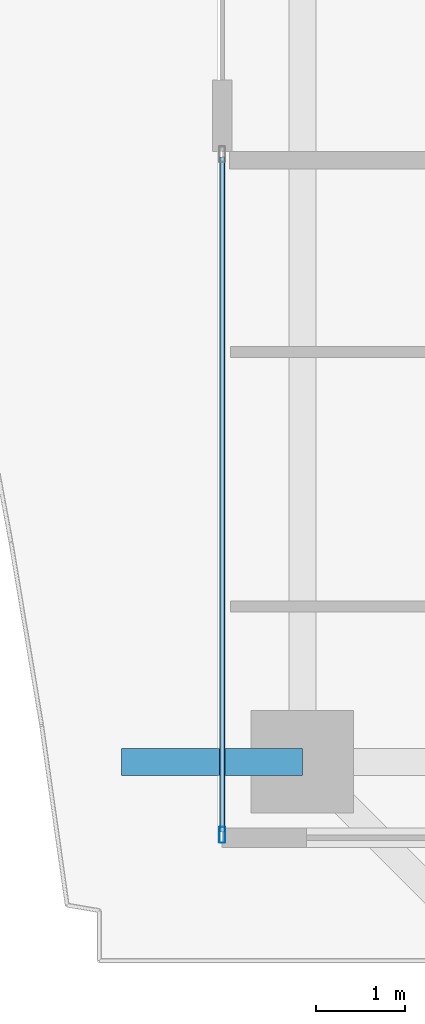
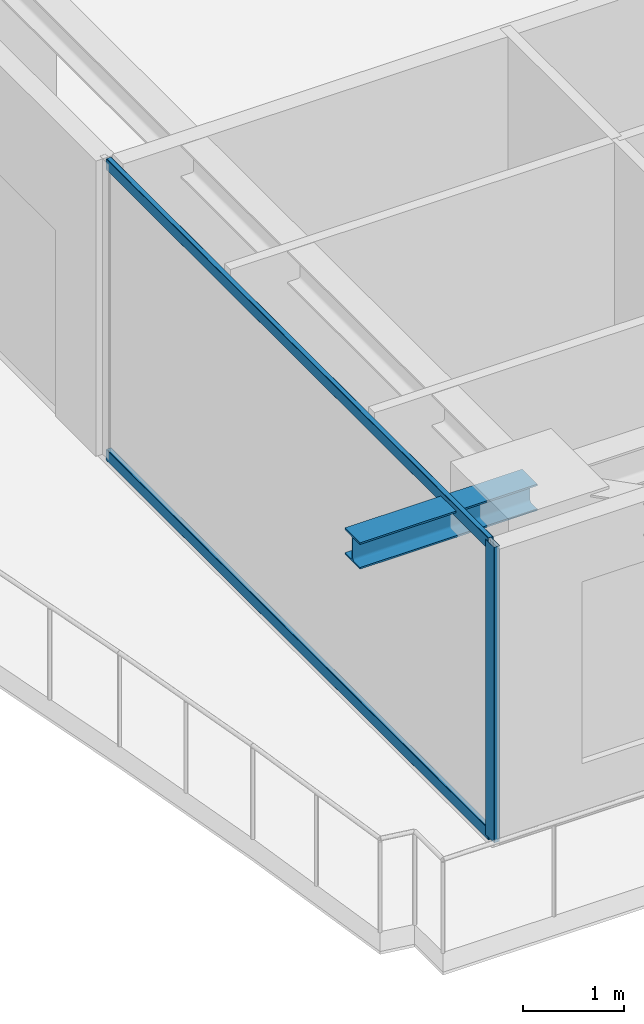
# One storey, part 3 of 38: 3 members, 1 beam, 1 element without a shape of its own.
"""IFC4 building model written with IfcOpenShell, lengths in metres."""

from ifc_helpers import new_model, si_unit, direction, frame, origin, origin_2d, place, context, subcontext, project, spatial, hollow_rectangle, i_section, extrude, source, transform, mapped, material, layer, layer_set, material_profile, profile_set, type_object, element, aggregate, save


model = new_model("IFC4")

# Units and contexts
model_context = context("Model", 3, precision=1e-05, world=origin(), true_north=direction((0.0, 1.0)))
body_context = subcontext(model_context, "Body", "Model", "MODEL_VIEW")
ifc_project = project(units=[si_unit("LENGTHUNIT", "METRE"), si_unit("AREAUNIT", "SQUARE_METRE"), si_unit("VOLUMEUNIT", "CUBIC_METRE"), si_unit("PLANEANGLEUNIT", "RADIAN"), si_unit("MASSUNIT", "GRAM", prefix="KILO")], contexts=[model_context])

# Site, building, storey
site_placement = place(None, origin())
site = spatial("IfcSite", under=ifc_project, at=site_placement, CompositionType="ELEMENT")
building_placement = place(site_placement, origin())
building = spatial("IfcBuilding", under=site, at=building_placement, Name="Serunith Strait Residences", CompositionType="ELEMENT")
storey_placement = place(building_placement, frame((0.0, 0.0, 241.25)))
storey = spatial("IfcBuildingStorey", under=building, at=storey_placement, Name="L60", CompositionType="ELEMENT", Elevation=241.25)

# Beam
ifc_material_1 = material(Name="Steel S355J2", Category="steel")
ifc_material_profile_1 = material_profile(ifc_material_1, i_section(OverallWidth=0.300048828125, OverallDepth=0.320068359375, WebThickness=0.011474609375, FlangeThickness=0.0205078125, FilletRadius=0.027099609375, at=origin_2d()), Name="HEB 320")
ifc_profile_set_1 = profile_set([ifc_material_profile_1], Name="Steel S355J2")
beam_type = type_object("IfcBeamType", Name="BM-HEB320", PredefinedType="BEAM", material=ifc_profile_set_1)
shared_shape_1 = source(origin(), body_context, "Body", "SweptSolid", [
    extrude(i_section(OverallWidth=0.300048828125, OverallDepth=0.320068359375, WebThickness=0.011474609375, FlangeThickness=0.0205078125, FilletRadius=0.027099609375, at=origin_2d()), origin(), (0.0, 0.0, 1.0), 2.030029296875),
])
beam_placement = place(storey_placement, frame((8.300048828125, 10.050048828125, 3.39697265625), z_axis=(-1.0, 0.0, 0.0), x_axis=(0.0, -1.0, 0.0)))
element("IfcBeam", 1, at=beam_placement, inside=storey, type_object=beam_type, Name="L61 Cantilevered Balcony Rib TC-W1", PredefinedType="BEAM", context=body_context, shape_type="MappedRepresentation", body=[
    mapped(shared_shape_1, transform((0.0, 0.0, 0.0), scale=1.0)),
])

# Curtain wall, members
ifc_material_2 = material(Name="Pale-Champagne Anodised Aluminium", Category="aluminium")
ifc_layer = layer(ifc_material_2, 0.199951171875, Name="Pale-Champagne Anodised Aluminium")
ifc_layer_set = layer_set([ifc_layer], Name="Pale-Champagne Anodised Aluminium")
curtain_wall_type = type_object("IfcCurtainWallType", Name="CW-SYS4", PredefinedType="NOTDEFINED", material=ifc_layer_set)
curtain_wall_placement = place(storey_placement, origin())
curtain_wall = element("IfcCurtainWall", 2, at=curtain_wall_placement, inside=storey, type_object=curtain_wall_type, Name="L60 W Unitised Fritted Curtain Wall", PredefinedType="NOTDEFINED")
ifc_material_profile_2 = material_profile(ifc_material_2, hollow_rectangle(XDim=0.06494140625, YDim=0.179931640625, WallThickness=0.00341796875, InnerFilletRadius=0.00537109375, OuterFilletRadius=0.0087890625, at=origin_2d()), Name="ALU 180x65x3.5")
ifc_profile_set_2 = profile_set([ifc_material_profile_2], Name="Pale-Champagne Anodised Aluminium")
member_type_1 = type_object("IfcMemberType", Name="CW-SYS4-MULL", PredefinedType="MULLION", material=ifc_profile_set_2)
shared_shape_2 = source(origin(), body_context, "Body", "SweptSolid", [
    extrude(hollow_rectangle(XDim=0.06494140625, YDim=0.179931640625, WallThickness=0.00341796875, InnerFilletRadius=0.00537109375, OuterFilletRadius=0.0087890625, at=origin_2d()), origin(), (0.0, 0.0, 1.0), 3.574951171875),
])
member_1_placement = place(storey_placement, frame((7.39990234375, 9.232421875, 0.0), z_axis=(0.0, 0.0, 1.0), x_axis=(1.0, 0.0, 0.0)))
member_1 = element("IfcMember", 3, at=member_1_placement, type_object=member_type_1, Name="CW-4 mullion 2", PredefinedType="MULLION", context=body_context, shape_type="MappedRepresentation", body=[
    mapped(shared_shape_2, transform((0.0, 0.0, 0.0), scale=1.0)),
])
ifc_material_profile_3 = material_profile(ifc_material_2, hollow_rectangle(XDim=0.06005859375, YDim=0.139892578125, WallThickness=0.00341796875, InnerFilletRadius=0.00537109375, OuterFilletRadius=0.0087890625, at=origin_2d()), Name="ALU 140x60x3.5")
ifc_profile_set_3 = profile_set([ifc_material_profile_3], Name="Pale-Champagne Anodised Aluminium")
member_type_2 = type_object("IfcMemberType", Name="CW-SYS4-TRAN", PredefinedType="USERDEFINED", material=ifc_profile_set_3)
shared_shape_3 = source(origin(), body_context, "Body", "SweptSolid", [
    extrude(hollow_rectangle(XDim=0.06005859375, YDim=0.139892578125, WallThickness=0.00341796875, InnerFilletRadius=0.00537109375, OuterFilletRadius=0.0087890625, at=origin_2d()), origin(), (0.0, 0.0, 1.0), 7.570068359375),
])
member_2_placement = place(storey_placement, frame((7.39990234375, 16.8349609375, 0.030029296875), z_axis=(0.0, -1.0, 0.0), x_axis=(1.0, 0.0, 0.0)))
member_2 = element("IfcMember", 4, at=member_2_placement, type_object=member_type_2, Name="CW-4 transom 1.1", ObjectType="TRANSOM", PredefinedType="USERDEFINED", context=body_context, shape_type="MappedRepresentation", body=[
    mapped(shared_shape_3, transform((0.0, 0.0, 0.0), scale=1.0)),
])
member_3_placement = place(storey_placement, frame((7.39990234375, 16.8349609375, 3.544921875), z_axis=(0.0, -1.0, 0.0), x_axis=(1.0, 0.0, 0.0)))
member_3 = element("IfcMember", 5, at=member_3_placement, type_object=member_type_2, Name="CW-4 transom 1.2", ObjectType="TRANSOM", PredefinedType="USERDEFINED", context=body_context, shape_type="MappedRepresentation", body=[
    mapped(shared_shape_3, transform((0.0, 0.0, 0.0), scale=1.0)),
])
aggregate(curtain_wall, [member_1, member_2, member_3])

save(model, "model.ifc")
